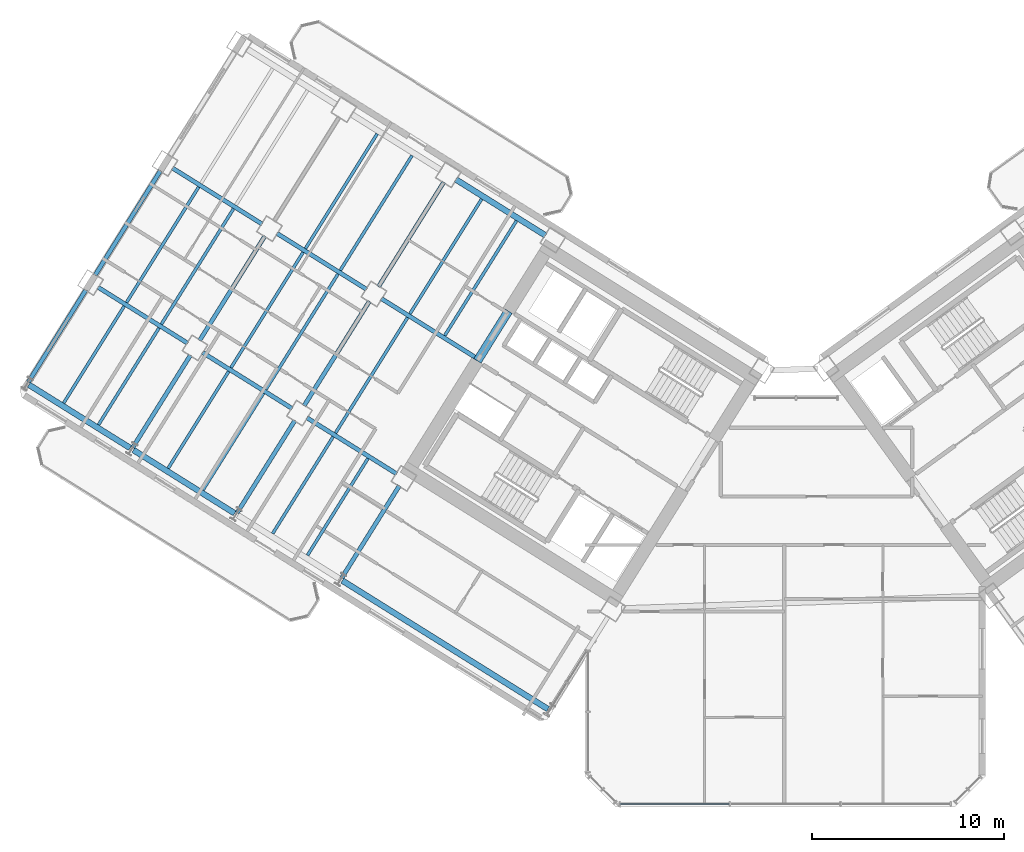
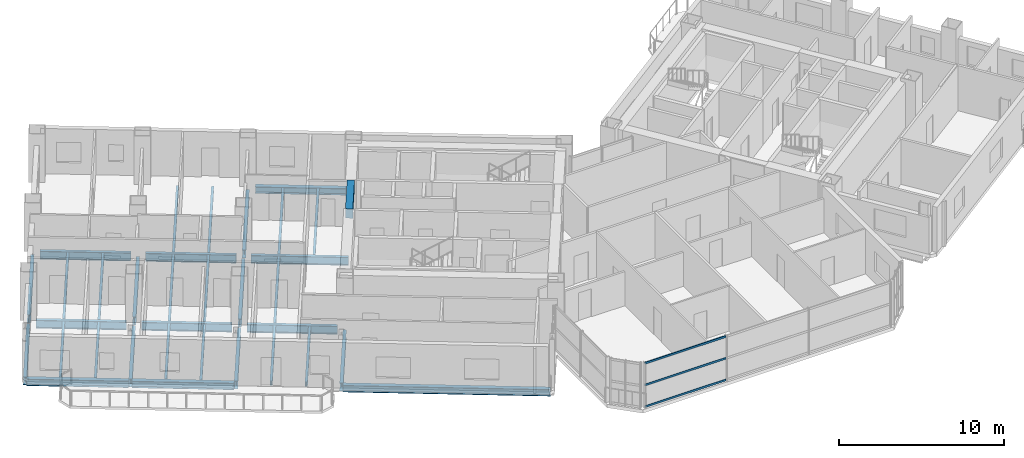
# One storey, part 6 of 24: 34 beams, 3 members, 1 element without a shape of its own.
"""IFC4 building model written with IfcOpenShell, lengths in metres."""

from ifc_helpers import new_model, si_unit, direction, frame, origin, origin_2d, place, context, subcontext, project, spatial, rectangle, hollow_rectangle, i_section, extrude, source, transform, mapped, material, material_profile, profile_set, type_object, element, aggregate, save


model = new_model("IFC4")

# Units and contexts
model_context = context("Model", 3, precision=1e-05, world=origin(), true_north=direction((0.0, 1.0)))
body_context = subcontext(model_context, "Body", "Model", "MODEL_VIEW")
ifc_project = project(units=[si_unit("LENGTHUNIT", "METRE"), si_unit("AREAUNIT", "SQUARE_METRE"), si_unit("VOLUMEUNIT", "CUBIC_METRE"), si_unit("PLANEANGLEUNIT", "RADIAN"), si_unit("MASSUNIT", "GRAM", prefix="KILO")], contexts=[model_context])

# Site, building, storey
site_placement = place(None, origin())
site = spatial("IfcSite", under=ifc_project, at=site_placement, CompositionType="ELEMENT")
building_placement = place(site_placement, origin())
building = spatial("IfcBuilding", under=site, at=building_placement, Name="Tlacorven Tower", CompositionType="ELEMENT")
storey_placement = place(building_placement, frame((0.0, 0.0, 60.0)))
storey = spatial("IfcBuildingStorey", under=building, at=storey_placement, Name="L15", CompositionType="ELEMENT", Elevation=60.0)

# Beams
ifc_material_1 = material(Name="Concrete C60/75", Category="concrete")
ifc_material_profile_1 = material_profile(ifc_material_1, rectangle(XDim=0.449951171875, YDim=0.699951171875, at=origin_2d()), Name="RC 450X700")
ifc_profile_set_1 = profile_set([ifc_material_profile_1], Name="Concrete C60/75")
beam_type_1 = type_object("IfcBeamType", Name="BM-LNT-700", PredefinedType="LINTEL", material=ifc_profile_set_1)
shared_shape_1 = source(origin(), body_context, "Body", "SweptSolid", [
    extrude(rectangle(XDim=0.449951171875, YDim=0.699951171875, at=origin_2d()), origin(), (0.0, 0.0, 1.0), 3.0498046875),
])
beam_1_placement = place(storey_placement, frame((27.622802734375, 27.562255859375, 3.0), z_axis=(-0.529926983584, -0.848043272522, 0.0), x_axis=(0.848043272522, -0.529926983584, 0.0)))
element("IfcBeam", 1, at=beam_1_placement, inside=storey, type_object=beam_type_1, Name="L15 W core coupling lintel beam E2", PredefinedType="LINTEL", context=body_context, shape_type="MappedRepresentation", body=[
    mapped(shared_shape_1, transform((0.0, 0.0, 0.0), scale=1.0)),
])
ifc_material_2 = material(Name="Steel S355J2", Category="steel")
ifc_material_profile_2 = material_profile(ifc_material_2, i_section(OverallWidth=0.300048828125, OverallDepth=0.489990234375, WebThickness=0.011962890625, FlangeThickness=0.02294921875, at=origin_2d()), Name="HEA 500")
ifc_profile_set_2 = profile_set([ifc_material_profile_2], Name="Steel S355J2")
beam_type_2 = type_object("IfcBeamType", Name="BM-SPN-500", PredefinedType="SPANDREL", material=ifc_profile_set_2)
shared_shape_2 = source(origin(), body_context, "Body", "SweptSolid", [
    extrude(i_section(OverallWidth=0.300048828125, OverallDepth=0.489990234375, WebThickness=0.011962890625, FlangeThickness=0.02294921875, at=origin_2d()), origin(), (0.0, 0.0, 1.0), 5.5),
])
beam_2_placement = place(storey_placement, frame((29.54638671875, 31.48974609375, -0.4951171875), z_axis=(-0.848050668838, 0.52991514706, 0.0), x_axis=(-0.52991514706, -0.848050668838, 0.0)))
element("IfcBeam", 2, at=beam_2_placement, inside=storey, type_object=beam_type_2, Name="L15 beam BM-L15-WL1-3", PredefinedType="SPANDREL", context=body_context, shape_type="MappedRepresentation", body=[
    mapped(shared_shape_2, transform((0.0, 0.0, 0.0), scale=1.0)),
])
ifc_material_profile_3 = material_profile(ifc_material_2, i_section(OverallWidth=0.219970703125, OverallDepth=0.60009765625, WebThickness=0.011962890625, FlangeThickness=0.01904296875, at=origin_2d()), Name="IPE 600")
ifc_profile_set_3 = profile_set([ifc_material_profile_3], Name="Steel S355J2")
beam_type_3 = type_object("IfcBeamType", Name="BM-TWR-600", PredefinedType="BEAM", material=ifc_profile_set_3)
shared_shape_3 = source(origin(), body_context, "Body", "SweptSolid", [
    extrude(i_section(OverallWidth=0.219970703125, OverallDepth=0.60009765625, WebThickness=0.011962890625, FlangeThickness=0.01904296875, at=origin_2d()), origin(), (0.0, 0.0, 1.0), 5.909912109375),
])
beam_3_placement = place(storey_placement, frame((26.025634765625, 25.081787109375, -0.550048828125), z_axis=(-0.848047036595, 0.529920959883, 0.0), x_axis=(-0.529920959883, -0.848047036595, 0.0)))
element("IfcBeam", 3, at=beam_3_placement, inside=storey, type_object=beam_type_3, Name="L15 beam BM-L15-WL2-3", PredefinedType="BEAM", context=body_context, shape_type="MappedRepresentation", body=[
    mapped(shared_shape_3, transform((0.0, 0.0, 0.0), scale=1.0)),
])
shared_shape_4 = source(origin(), body_context, "Body", "SweptSolid", [
    extrude(i_section(OverallWidth=0.219970703125, OverallDepth=0.60009765625, WebThickness=0.011962890625, FlangeThickness=0.01904296875, at=origin_2d()), origin(), (0.0, 0.0, 1.0), 5.5),
])
for number, where, z_axis, x_axis, name in (
    (4, (20.25048828125, 28.690673828125, -0.550048828125), (-0.848050668838, 0.52991514706, 0.0), (-0.52991514706, -0.848050668838, 0.0), "L15 beam BM-L15-WL2-4"),
    (5, (14.822998046875, 32.08203125, -0.550048828125), (-0.848050668838, 0.52991514706, 0.0), (-0.52991514706, -0.848050668838, 0.0), "L15 beam BM-L15-WL2-5"),
    (6, (21.8095703125, 19.1083984375, -0.550048828125), (-0.848050668838, 0.52991514706, 0.0), (-0.52991514706, -0.848050668838, 0.0), "L15 beam BM-L15-WL3-3"),
    (7, (16.382080078125, 22.499755859375, -0.550048828125), (-0.848050668838, 0.52991514706, 0.0), (-0.52991514706, -0.848050668838, 0.0), "L15 beam BM-L15-WL3-4"),
    (8, (10.95458984375, 25.891357421875, -0.550048828125), (-0.848050668838, 0.52991514706, 0.0), (-0.52991514706, -0.848050668838, 0.0), "L15 beam BM-L15-WL3-5"),
):
    element("IfcBeam", number, at=place(storey_placement, frame(where, z_axis=z_axis, x_axis=x_axis)), inside=storey, type_object=beam_type_3, Name=name, PredefinedType="BEAM", context=body_context, shape_type="MappedRepresentation", body=[
        mapped(shared_shape_4, transform((0.0, 0.0, 0.0), scale=1.0)),
    ])
shared_shape_5 = source(origin(), body_context, "Body", "SweptSolid", [
    extrude(i_section(OverallWidth=0.300048828125, OverallDepth=0.489990234375, WebThickness=0.011962890625, FlangeThickness=0.02294921875, at=origin_2d()), origin(), (0.0, 0.0, 1.0), 12.599853515625),
])
beam_4_placement = place(storey_placement, frame((29.67578125, 6.882080078125, -0.4951171875), z_axis=(-0.848045108756, 0.529924045043, 0.0), x_axis=(-0.529924045043, -0.848045108756, 0.0)))
element("IfcBeam", 9, at=beam_4_placement, inside=storey, type_object=beam_type_2, Name="L15 beam BM-L15-WL4-1", PredefinedType="SPANDREL", context=body_context, shape_type="MappedRepresentation", body=[
    mapped(shared_shape_5, transform((0.0, 0.0, 0.0), scale=1.0)),
])
shared_shape_6 = source(origin(), body_context, "Body", "SweptSolid", [
    extrude(i_section(OverallWidth=0.300048828125, OverallDepth=0.489990234375, WebThickness=0.011962890625, FlangeThickness=0.02294921875, at=origin_2d()), origin(), (0.0, 0.0, 1.0), 6.199951171875),
])
for number, where, z_axis, x_axis, name in (
    (10, (13.393310546875, 17.056396484375, -0.4951171875), (-0.848033697614, 0.529942306022, 0.0), (-0.529942306022, -0.848033697614, 0.0), "L15 beam BM-L15-WL4-4"),
    (11, (7.9658203125, 20.447998046875, -0.4951171875), (-0.848051394107, 0.529913986372, 0.0), (-0.529913986372, -0.848051394107, 0.0), "L15 beam BM-L15-WL4-5"),
):
    element("IfcBeam", number, at=place(storey_placement, frame(where, z_axis=z_axis, x_axis=x_axis)), inside=storey, type_object=beam_type_2, Name=name, PredefinedType="SPANDREL", context=body_context, shape_type="MappedRepresentation", body=[
        mapped(shared_shape_6, transform((0.0, 0.0, 0.0), scale=1.0)),
    ])
shared_shape_7 = source(origin(), body_context, "Body", "SweptSolid", [
    extrude(i_section(OverallWidth=0.219970703125, OverallDepth=0.60009765625, WebThickness=0.011962890625, FlangeThickness=0.01904296875, at=origin_2d()), origin(), (0.0, 0.0, 1.0), 5.650146484375),
])
for number, where, z_axis, x_axis, name in (
    (12, (21.95263671875, 18.48828125, -0.550048828125), (-0.529929025184, -0.848041996759, 0.0), (0.848041996759, -0.529929025184, 0.0), "L15 beam BM-L15-WT3-2"),
    (13, (16.525146484375, 21.879638671875, -0.550048828125), (-0.529929025184, -0.848041996759, 0.0), (0.848041996759, -0.529929025184, 0.0), "L15 beam BM-L15-WT4-3"),
    (14, (11.09765625, 25.271240234375, -0.550048828125), (-0.529929025184, -0.848041996759, 0.0), (0.848041996759, -0.529929025184, 0.0), "L15 beam BM-L15-WT5-3"),
    (15, (5.670166015625, 28.66259765625, -0.550048828125), (-0.529929025184, -0.848041996759, 0.0), (0.848041996759, -0.529929025184, 0.0), "L15 beam BM-L15-WT6-3"),
):
    element("IfcBeam", number, at=place(storey_placement, frame(where, z_axis=z_axis, x_axis=x_axis)), inside=storey, type_object=beam_type_3, Name=name, PredefinedType="BEAM", context=body_context, shape_type="MappedRepresentation", body=[
        mapped(shared_shape_7, transform((0.0, 0.0, 0.0), scale=1.0)),
    ])
shared_shape_8 = source(origin(), body_context, "Body", "SweptSolid", [
    extrude(i_section(OverallWidth=0.219970703125, OverallDepth=0.60009765625, WebThickness=0.011962890625, FlangeThickness=0.01904296875, at=origin_2d()), origin(), (0.0, 0.0, 1.0), 6.39990234375),
])
for number, where, z_axis, x_axis, name in (
    (16, (24.261962890625, 34.26123046875, -0.550048828125), (-0.529906354247, -0.848056163074, 0.0), (0.848056163074, -0.529906354247, 0.0), "L15 beam BM-L15-WT4-1"),
    (17, (20.3935546875, 28.070556640625, -0.550048828125), (-0.529906354247, -0.848056163074, 0.0), (0.848056163074, -0.529906354247, 0.0), "L15 beam BM-L15-WT4-2"),
):
    element("IfcBeam", number, at=place(storey_placement, frame(where, z_axis=z_axis, x_axis=x_axis)), inside=storey, type_object=beam_type_3, Name=name, PredefinedType="BEAM", context=body_context, shape_type="MappedRepresentation", body=[
        mapped(shared_shape_8, transform((0.0, 0.0, 0.0), scale=1.0)),
    ])
shared_shape_9 = source(origin(), body_context, "Body", "SweptSolid", [
    extrude(i_section(OverallWidth=0.219970703125, OverallDepth=0.60009765625, WebThickness=0.011962890625, FlangeThickness=0.01904296875, at=origin_2d()), origin(), (0.0, 0.0, 1.0), 6.400146484375),
])
for number, where, z_axis, x_axis, name in (
    (18, (14.966064453125, 31.4619140625, -0.550048828125), (-0.529933789039, -0.848039019877, 0.0), (0.848039019877, -0.529933789039, 0.0), "L15 beam BM-L15-WT5-2"),
    (19, (9.53857421875, 34.853515625, -0.550048828125), (-0.529933789039, -0.848039019877, 0.0), (0.848039019877, -0.529933789039, 0.0), "L15 beam BM-L15-WT6-2"),
):
    element("IfcBeam", number, at=place(storey_placement, frame(where, z_axis=z_axis, x_axis=x_axis)), inside=storey, type_object=beam_type_3, Name=name, PredefinedType="BEAM", context=body_context, shape_type="MappedRepresentation", body=[
        mapped(shared_shape_9, transform((0.0, 0.0, 0.0), scale=1.0)),
    ])
ifc_material_profile_4 = material_profile(ifc_material_2, i_section(OverallWidth=0.159912109375, OverallDepth=0.330078125, WebThickness=0.007568359375, FlangeThickness=0.011474609375, at=origin_2d()), Name="IPE 330")
ifc_profile_set_4 = profile_set([ifc_material_profile_4], Name="Steel S355J2")
beam_type_4 = type_object("IfcBeamType", Name="BM-JST-330", PredefinedType="JOIST", material=ifc_profile_set_4)
shared_shape_10 = source(origin(), body_context, "Body", "SweptSolid", [
    extrude(i_section(OverallWidth=0.159912109375, OverallDepth=0.330078125, WebThickness=0.007568359375, FlangeThickness=0.011474609375, at=origin_2d()), origin(), (0.0, 0.0, 1.0), 7.030029296875),
])
for number, where, z_axis, x_axis, name in (
    (20, (28.03662109375, 32.25048828125, -0.4150390625), (-0.529911532383, -0.848052927504, 0.0), (0.848052927504, -0.529911532383, 0.0), "L15 beam BM-L15-WJ3-1-1"),
    (21, (26.2275390625, 33.380859375, -0.4150390625), (-0.529927139185, -0.84804317529, 0.0), (0.84804317529, -0.529927139185, 0.0), "L15 beam BM-L15-WJ3-1-2"),
    (22, (22.609130859375, 35.641845703125, -0.4150390625), (-0.529927139185, -0.84804317529, 0.0), (0.84804317529, -0.529927139185, 0.0), "L15 beam BM-L15-WJ4-1-1"),
    (23, (20.800048828125, 36.7724609375, -0.4150390625), (-0.529911532383, -0.848052927504, 0.0), (0.848052927504, -0.529911532383, 0.0), "L15 beam BM-L15-WJ4-1-2"),
):
    element("IfcBeam", number, at=place(storey_placement, frame(where, z_axis=z_axis, x_axis=x_axis)), inside=storey, type_object=beam_type_4, Name=name, PredefinedType="JOIST", context=body_context, shape_type="MappedRepresentation", body=[
        mapped(shared_shape_10, transform((0.0, 0.0, 0.0), scale=1.0)),
    ])
shared_shape_11 = source(origin(), body_context, "Body", "SweptSolid", [
    extrude(i_section(OverallWidth=0.159912109375, OverallDepth=0.330078125, WebThickness=0.007568359375, FlangeThickness=0.011474609375, at=origin_2d()), origin(), (0.0, 0.0, 1.0), 5.93017578125),
])
for number, where, z_axis, x_axis, name in (
    (24, (20.321044921875, 19.90283203125, -0.4150390625), (-0.529899018132, -0.848060746989, 0.0), (0.848060746989, -0.529899018132, 0.0), "L15 beam BM-L15-WJ3-3-1"),
    (25, (18.51171875, 21.033447265625, -0.4150390625), (-0.529899018132, -0.848060746989, 0.0), (0.848060746989, -0.529899018132, 0.0), "L15 beam BM-L15-WJ3-3-2"),
    (26, (9.466064453125, 26.685791015625, -0.4150390625), (-0.529928626913, -0.848042245633, 0.0), (0.848042245633, -0.529928626913, 0.0), "L15 beam BM-L15-WJ5-3-1"),
    (27, (7.65673828125, 27.81640625, -0.4150390625), (-0.529899018132, -0.848060746989, 0.0), (0.848060746989, -0.529899018132, 0.0), "L15 beam BM-L15-WJ5-3-2"),
):
    element("IfcBeam", number, at=place(storey_placement, frame(where, z_axis=z_axis, x_axis=x_axis)), inside=storey, type_object=beam_type_4, Name=name, PredefinedType="JOIST", context=body_context, shape_type="MappedRepresentation", body=[
        mapped(shared_shape_11, transform((0.0, 0.0, 0.0), scale=1.0)),
    ])
shared_shape_12 = source(origin(), body_context, "Body", "SweptSolid", [
    extrude(i_section(OverallWidth=0.159912109375, OverallDepth=0.330078125, WebThickness=0.007568359375, FlangeThickness=0.011474609375, at=origin_2d()), origin(), (0.0, 0.0, 1.0), 7.070068359375),
])
for number, where, z_axis, x_axis, name in (
    (28, (22.380126953125, 27.22412109375, -0.4150390625), (-0.529890296319, -0.84806619663, 0.0), (0.84806619663, -0.529890296319, 0.0), "L15 beam BM-L15-WJ3-2-2"),
    (29, (18.761962890625, 29.485107421875, -0.4150390625), (-0.529915131461, -0.848050678585, 0.0), (0.848050678585, -0.529915131461, 0.0), "L15 beam BM-L15-WJ4-2-1"),
    (30, (13.33447265625, 32.87646484375, -0.4150390625), (-0.529930649952, -0.848040981463, 0.0), (0.848040981463, -0.529930649952, 0.0), "L15 beam BM-L15-WJ5-2-1"),
    (31, (11.525146484375, 34.007080078125, -0.4150390625), (-0.529930649952, -0.848040981463, 0.0), (0.848040981463, -0.529930649952, 0.0), "L15 beam BM-L15-WJ5-2-2"),
):
    element("IfcBeam", number, at=place(storey_placement, frame(where, z_axis=z_axis, x_axis=x_axis)), inside=storey, type_object=beam_type_4, Name=name, PredefinedType="JOIST", context=body_context, shape_type="MappedRepresentation", body=[
        mapped(shared_shape_12, transform((0.0, 0.0, 0.0), scale=1.0)),
    ])
shared_shape_13 = source(origin(), body_context, "Body", "SweptSolid", [
    extrude(i_section(OverallWidth=0.159912109375, OverallDepth=0.330078125, WebThickness=0.007568359375, FlangeThickness=0.011474609375, at=origin_2d()), origin(), (0.0, 0.0, 1.0), 5.929931640625),
])
for number, where, z_axis, x_axis, name in (
    (32, (14.8935546875, 23.294189453125, -0.4150390625), (-0.529917519894, -0.848049186138, 0.0), (0.848049186138, -0.529917519894, 0.0), "L15 beam BM-L15-WJ4-3-1"),
    (33, (13.084228515625, 24.4248046875, -0.4150390625), (-0.529917519894, -0.848049186138, 0.0), (0.848049186138, -0.529917519894, 0.0), "L15 beam BM-L15-WJ4-3-2"),
):
    element("IfcBeam", number, at=place(storey_placement, frame(where, z_axis=z_axis, x_axis=x_axis)), inside=storey, type_object=beam_type_4, Name=name, PredefinedType="JOIST", context=body_context, shape_type="MappedRepresentation", body=[
        mapped(shared_shape_13, transform((0.0, 0.0, 0.0), scale=1.0)),
    ])
shared_shape_14 = source(origin(), body_context, "Body", "SweptSolid", [
    extrude(i_section(OverallWidth=0.159912109375, OverallDepth=0.330078125, WebThickness=0.007568359375, FlangeThickness=0.011474609375, at=origin_2d()), origin(), (0.0, 0.0, 1.0), 7.06982421875),
])
beam_5_placement = place(storey_placement, frame((16.95263671875, 30.615478515625, -0.4150390625), z_axis=(-0.52990581465, -0.84805650024, 0.0), x_axis=(0.84805650024, -0.52990581465, 0.0)))
element("IfcBeam", 34, at=beam_5_placement, inside=storey, type_object=beam_type_4, Name="L15 beam BM-L15-WJ4-2-2", PredefinedType="JOIST", context=body_context, shape_type="MappedRepresentation", body=[
    mapped(shared_shape_14, transform((0.0, 0.0, 0.0), scale=1.0)),
])

# Curtain wall, members
ifc_material_3 = material(Name="Dark solar low-E double glazing in aluminium frame", Category="aluminium")
curtain_wall_type = type_object("IfcCurtainWallType", Name="CW-TWR-LOW", PredefinedType="USERDEFINED", material=ifc_material_3)
curtain_wall_placement = place(storey_placement, origin())
curtain_wall = element("IfcCurtainWall", 35, at=curtain_wall_placement, inside=storey, type_object=curtain_wall_type, Name="L15 CW-TWR-LOW Curtain Wall 82", ObjectType="UNITISED CURTAIN WALL", PredefinedType="USERDEFINED")
ifc_material_4 = material(Name="Aluminium 6063-T6 anodised", Category="aluminium")
ifc_material_profile_5 = material_profile(ifc_material_4, hollow_rectangle(XDim=0.06005859375, YDim=0.139892578125, WallThickness=0.00390625, at=origin_2d()), Name="ALU TRANSOM 60X140")
ifc_profile_set_5 = profile_set([ifc_material_profile_5], Name="Aluminium 6063-T6 anodised")
member_type = type_object("IfcMemberType", Name="CWT-02", PredefinedType="USERDEFINED", material=ifc_profile_set_5)
shared_shape_15 = source(origin(), body_context, "Body", "SweptSolid", [
    extrude(hollow_rectangle(XDim=0.06005859375, YDim=0.139892578125, WallThickness=0.00390625, at=origin_2d()), origin(), (0.0, 0.0, 1.0), 5.6748046875),
])
member_1_placement = place(storey_placement, frame((39.09912109375, 1.9599609375, 0.070068359375), z_axis=(-1.0, 0.0, 0.0), x_axis=(0.0, -1.0, 0.0)))
member_1 = element("IfcMember", 36, at=member_1_placement, type_object=member_type, Name="CW-L15-082 Transom 7", ObjectType="TRANSOM", PredefinedType="USERDEFINED", context=body_context, shape_type="MappedRepresentation", body=[
    mapped(shared_shape_15, transform((0.0, 0.0, 0.0), scale=1.0)),
])
member_2_placement = place(storey_placement, frame((39.09912109375, 1.9599609375, 1.675048828125), z_axis=(-1.0, 0.0, 0.0), x_axis=(0.0, -1.0, 0.0)))
member_2 = element("IfcMember", 37, at=member_2_placement, type_object=member_type, Name="CW-L15-082 Transom 8", ObjectType="TRANSOM", PredefinedType="USERDEFINED", context=body_context, shape_type="MappedRepresentation", body=[
    mapped(shared_shape_15, transform((0.0, 0.0, 0.0), scale=1.0)),
])
member_3_placement = place(storey_placement, frame((39.09912109375, 1.9599609375, 3.280029296875), z_axis=(-1.0, 0.0, 0.0), x_axis=(0.0, -1.0, 0.0)))
member_3 = element("IfcMember", 38, at=member_3_placement, type_object=member_type, Name="CW-L15-082 Transom 9", ObjectType="TRANSOM", PredefinedType="USERDEFINED", context=body_context, shape_type="MappedRepresentation", body=[
    mapped(shared_shape_15, transform((0.0, 0.0, 0.0), scale=1.0)),
])
aggregate(curtain_wall, [member_1, member_2, member_3])

save(model, "model.ifc")
